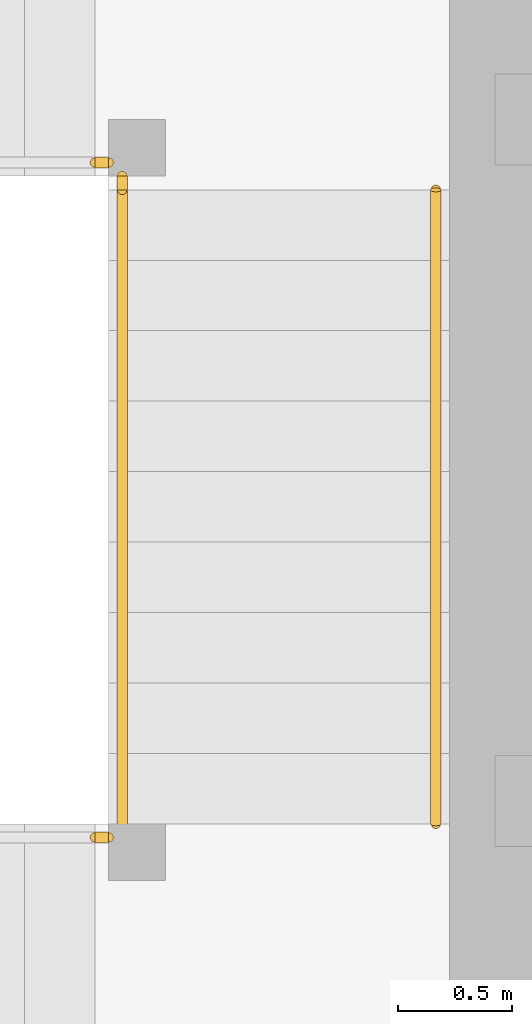
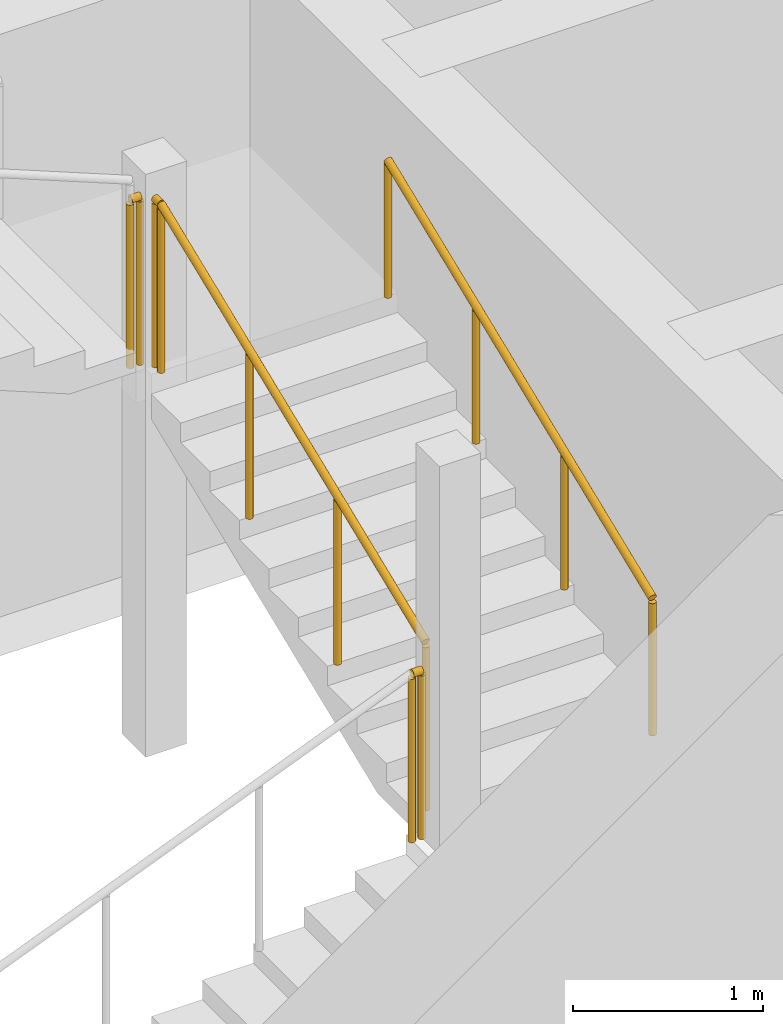
# One storey, part 28 of 32: 5 railings.
"""IFC4 building model written with IfcOpenShell, lengths in metres."""

from ifc_helpers import new_model, si_unit, direction, frame, origin, origin_2d, place, context, subcontext, project, spatial, circle, extrude, material, type_object, element, save


model = new_model("IFC4")

# Units and contexts
model_context = context("Model", 3, precision=1e-05, world=origin(), true_north=direction((0.0, 1.0)))
body_context = subcontext(model_context, "Body", "Model", "MODEL_VIEW")
ifc_project = project(units=[si_unit("LENGTHUNIT", "METRE"), si_unit("AREAUNIT", "SQUARE_METRE"), si_unit("VOLUMEUNIT", "CUBIC_METRE"), si_unit("PLANEANGLEUNIT", "RADIAN"), si_unit("MASSUNIT", "GRAM", prefix="KILO")], contexts=[model_context])

# Site, building, storey
site_placement = place(None, origin())
site = spatial("IfcSite", under=ifc_project, at=site_placement, CompositionType="ELEMENT")
building_placement = place(site_placement, origin())
building = spatial("IfcBuilding", under=site, at=building_placement, Name="Rekha Terrace Tower", CompositionType="ELEMENT")
storey_placement = place(building_placement, frame((0.0, 0.0, 250.10009765625)))
storey = spatial("IfcBuildingStorey", under=building, at=storey_placement, Name="L63", CompositionType="ELEMENT", Elevation=250.10009765625)

# Railings
ifc_material_1 = material(Name="Stainless steel balustrade", Category="steel")
railing_type_1 = type_object("IfcRailingType", Name="GR1 1100 stair guard", PredefinedType="GUARDRAIL", material=ifc_material_1)
railing_1_placement = place(storey_placement, frame((30.159912109375, 41.300048828125, 1.375)))
element("IfcRailing", 1, at=railing_1_placement, inside=storey, type_object=railing_type_1, Name="Guard ST4 L63 flight 2", PredefinedType="GUARDRAIL", context=body_context, shape_type="SweptSolid", body=[
    extrude(circle(Radius=0.02392578125, at=origin_2d()), frame((0.0, 0.0, 1.076171875), z_axis=(0.0, 0.927443287984, 0.373963831907), x_axis=(-1.0, 0.0, 0.0)), (0.0, 0.0, 1.0), 3.00830078125),
    extrude(circle(Radius=0.02099609375, at=origin_2d()), origin(), (0.0, 0.0, 1.0), 1.052001953125),
    extrude(circle(Radius=0.02099609375, at=origin_2d()), frame((0.0, 0.929931640625, 0.375)), (0.0, 0.0, 1.0), 1.052001953125),
    extrude(circle(Radius=0.02099609375, at=origin_2d()), frame((0.0, 1.860107421875, 0.75)), (0.0, 0.0, 1.0), 1.052001953125),
    extrude(circle(Radius=0.02099609375, at=origin_2d()), frame((0.0, 2.7900390625, 1.125)), (0.0, 0.0, 1.0), 1.052001953125),
])
railing_2_placement = place(storey_placement, frame((30.0400390625, 41.239990234375, 1.25)))
element("IfcRailing", 2, at=railing_2_placement, inside=storey, type_object=railing_type_1, Name="Guard ST4 L63 landing 1", PredefinedType="GUARDRAIL", context=body_context, shape_type="SweptSolid", body=[
    extrude(circle(Radius=0.02392578125, at=origin_2d()), frame((0.0, 0.0, 1.076171875), z_axis=(1.0, 0.0, 0.0), x_axis=(0.0, 1.0, 0.0)), (0.0, 0.0, 1.0), 0.06005859375),
    extrude(circle(Radius=0.02099609375, at=origin_2d()), origin(), (0.0, 0.0, 1.0), 1.052001953125),
    extrude(circle(Radius=0.02099609375, at=origin_2d()), frame((0.06005859375, 0.0, 0.0)), (0.0, 0.0, 1.0), 1.052001953125),
])
railing_3_placement = place(storey_placement, frame((30.159912109375, 44.090087890625, 2.5)))
element("IfcRailing", 3, at=railing_3_placement, inside=storey, type_object=railing_type_1, Name="Guard ST4 L63 landing 2", PredefinedType="GUARDRAIL", context=body_context, shape_type="SweptSolid", body=[
    extrude(circle(Radius=0.02392578125, at=origin_2d()), frame((0.0, 0.0, 1.076171875), z_axis=(0.0, 1.0, 0.0), x_axis=(-1.0, 0.0, 0.0)), (0.0, 0.0, 1.0), 0.059814453125),
    extrude(circle(Radius=0.02099609375, at=origin_2d()), origin(), (0.0, 0.0, 1.0), 1.052001953125),
    extrude(circle(Radius=0.02099609375, at=origin_2d()), frame((0.0, 0.059814453125, 0.0)), (0.0, 0.0, 1.0), 1.052001953125),
])
railing_4_placement = place(storey_placement, frame((30.0400390625, 44.2099609375, 2.5)))
element("IfcRailing", 4, at=railing_4_placement, inside=storey, type_object=railing_type_1, Name="Guard ST4 L63 landing 3", PredefinedType="GUARDRAIL", context=body_context, shape_type="SweptSolid", body=[
    extrude(circle(Radius=0.02392578125, at=origin_2d()), frame((0.0, 0.0, 1.076171875), z_axis=(1.0, 0.0, 0.0), x_axis=(0.0, 1.0, 0.0)), (0.0, 0.0, 1.0), 0.06005859375),
    extrude(circle(Radius=0.02099609375, at=origin_2d()), origin(), (0.0, 0.0, 1.0), 1.052001953125),
    extrude(circle(Radius=0.02099609375, at=origin_2d()), frame((0.06005859375, 0.0, 0.0)), (0.0, 0.0, 1.0), 1.052001953125),
])
ifc_material_2 = material(Name="Stainless steel tube", Category="steel")
railing_type_2 = type_object("IfcRailingType", Name="HR1 900 stair handrail", PredefinedType="HANDRAIL", material=ifc_material_2)
railing_5_placement = place(storey_placement, frame((31.5400390625, 41.300048828125, 1.375)))
element("IfcRailing", 5, at=railing_5_placement, inside=storey, type_object=railing_type_2, Name="Handrail ST4 L63 flight 2", PredefinedType="HANDRAIL", context=body_context, shape_type="SweptSolid", body=[
    extrude(circle(Radius=0.02392578125, at=origin_2d()), frame((0.0, 0.0, 0.8759765625), z_axis=(0.0, 0.927443287984, 0.373963831907), x_axis=(-1.0, 0.0, 0.0)), (0.0, 0.0, 1.0), 3.00830078125),
    extrude(circle(Radius=0.02099609375, at=origin_2d()), origin(), (0.0, 0.0, 1.0), 0.851806640625),
    extrude(circle(Radius=0.02099609375, at=origin_2d()), frame((0.0, 0.929931640625, 0.375)), (0.0, 0.0, 1.0), 0.851806640625),
    extrude(circle(Radius=0.02099609375, at=origin_2d()), frame((0.0, 1.860107421875, 0.75)), (0.0, 0.0, 1.0), 0.851806640625),
    extrude(circle(Radius=0.02099609375, at=origin_2d()), frame((0.0, 2.7900390625, 1.125)), (0.0, 0.0, 1.0), 0.851806640625),
])

save(model, "model.ifc")
